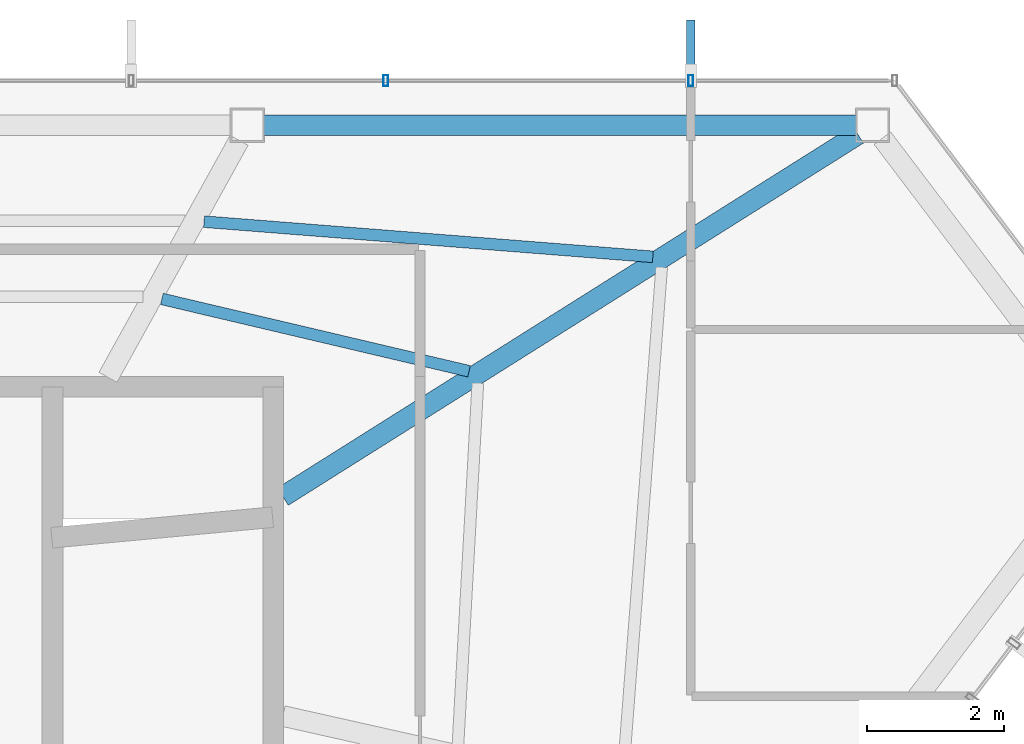
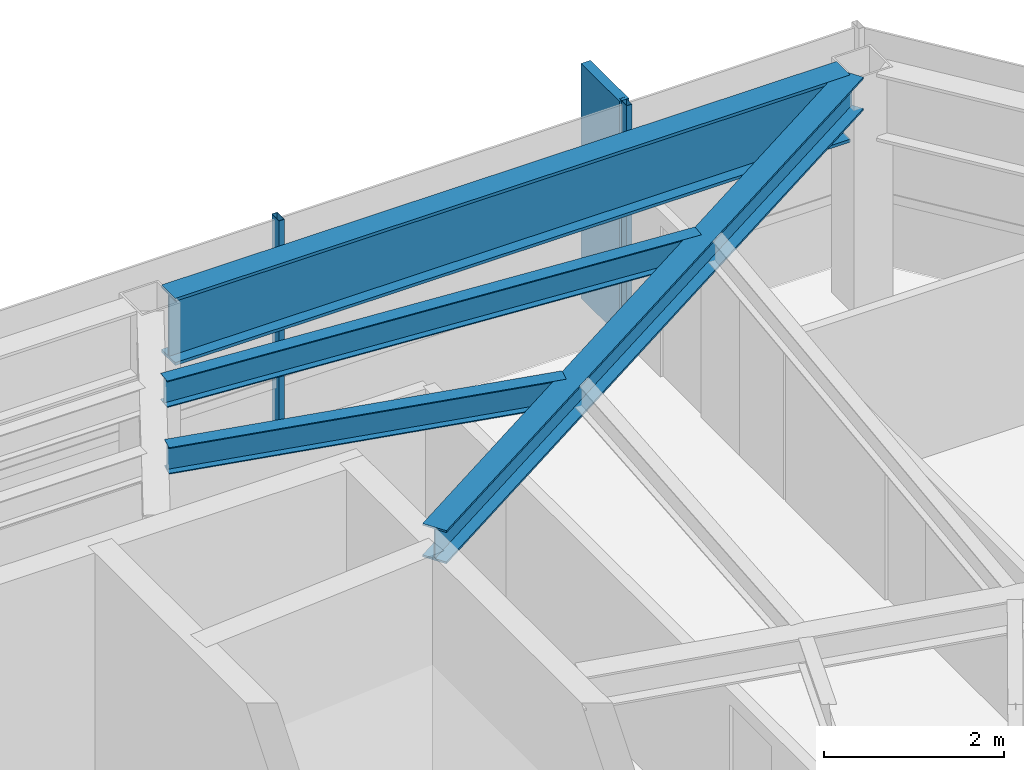
# One storey, part 18 of 25: 4 beams, 3 members, 1 element without a shape of its own.
"""IFC4 building model written with IfcOpenShell, lengths in metres."""

from ifc_helpers import new_model, si_unit, direction, frame, origin, origin_2d, place, context, subcontext, project, spatial, rectangle, hollow_rectangle, i_section, extrude, material, layer, layer_set, material_profile, profile_set, type_object, element, aggregate, save


model = new_model("IFC4")

# Units and contexts
model_context = context("Model", 3, precision=1e-05, world=origin(), true_north=direction((0.0, 1.0)))
body_context = subcontext(model_context, "Body", "Model", "MODEL_VIEW")
ifc_project = project(units=[si_unit("LENGTHUNIT", "METRE"), si_unit("AREAUNIT", "SQUARE_METRE"), si_unit("VOLUMEUNIT", "CUBIC_METRE"), si_unit("PLANEANGLEUNIT", "RADIAN"), si_unit("MASSUNIT", "GRAM", prefix="KILO")], contexts=[model_context])

# Site, building, storey
site_placement = place(None, origin())
site = spatial("IfcSite", under=ifc_project, at=site_placement, CompositionType="ELEMENT")
building_placement = place(site_placement, origin())
building = spatial("IfcBuilding", under=site, at=building_placement, Name="Zarrinselat Tower", CompositionType="ELEMENT")
storey_placement = place(building_placement, frame((0.0, 0.0, 261.800048828125)))
storey = spatial("IfcBuildingStorey", under=building, at=storey_placement, Name="L66", CompositionType="ELEMENT", Elevation=261.800048828125)

# Beams
ifc_material_1 = material(Name="Steel S355J2", Category="steel")
ifc_material_profile_1 = material_profile(ifc_material_1, i_section(OverallWidth=0.300048828125, OverallDepth=0.449951171875, WebThickness=0.013916015625, FlangeThickness=0.02587890625, at=origin_2d()), Name="HEB 450")
ifc_profile_set_1 = profile_set([ifc_material_profile_1], Name="Steel S355J2")
beam_type_1 = type_object("IfcBeamType", Name="BM-HEB450", PredefinedType="BEAM", material=ifc_profile_set_1)
beam_1_placement = place(storey_placement, frame((48.35009765625, 41.800048828125, 2.954833984375), z_axis=(0.846186362049, 0.532887080611, 0.0), x_axis=(-0.532887080611, 0.846186362049, 0.0)))
element("IfcBeam", 1, at=beam_1_placement, inside=storey, type_object=beam_type_1, Name="L66 Radial Primary Girder RG01", PredefinedType="BEAM", context=body_context, shape_type="SweptSolid", body=[
    extrude(i_section(OverallWidth=0.300048828125, OverallDepth=0.449951171875, WebThickness=0.013916015625, FlangeThickness=0.02587890625, at=origin_2d()), origin(), (0.0, 0.0, 1.0), 9.912841796875),
])
ifc_material_2 = material(Name="Steel S460M", Category="steel")
ifc_material_profile_2 = material_profile(ifc_material_2, i_section(OverallWidth=0.302001953125, OverallDepth=0.909912109375, WebThickness=0.02099609375, FlangeThickness=0.0400390625, at=origin_2d()), Name="HEM 900")
ifc_profile_set_2 = profile_set([ifc_material_profile_2], Name="Steel S460M")
beam_type_2 = type_object("IfcBeamType", Name="BM-HEM900", PredefinedType="BEAM", material=ifc_profile_set_2)
beam_2_placement = place(storey_placement, frame((48.07080078125, 47.216796875, 2.724853515625), z_axis=(1.0, 0.0, 0.0), x_axis=(0.0, 1.0, 0.0)))
element("IfcBeam", 2, at=beam_2_placement, inside=storey, type_object=beam_type_2, Name="L66 Perimeter Spandrel Girder SP01", PredefinedType="BEAM", context=body_context, shape_type="SweptSolid", body=[
    extrude(i_section(OverallWidth=0.302001953125, OverallDepth=0.909912109375, WebThickness=0.02099609375, FlangeThickness=0.0400390625, at=origin_2d()), origin(), (0.0, 0.0, 1.0), 8.642822265625),
])
ifc_material_3 = material(Name="Steel S355J2", Category="steel")
ifc_material_profile_3 = material_profile(ifc_material_3, i_section(OverallWidth=0.169921875, OverallDepth=0.360107421875, WebThickness=0.008056640625, FlangeThickness=0.0126953125, at=origin_2d()), Name="IPE 360")
ifc_profile_set_3 = profile_set([ifc_material_profile_3], Name="Steel S355J2")
beam_type_3 = type_object("IfcBeamType", Name="BM-IPE360", PredefinedType="JOIST", material=ifc_profile_set_3)
beam_3_placement = place(storey_placement, frame((47.20068359375, 45.810302734375, 3.0), z_axis=(0.99694411501, -0.078118061598, 0.0), x_axis=(0.078118061598, 0.99694411501, 0.0)))
element("IfcBeam", 3, at=beam_3_placement, inside=storey, type_object=beam_type_3, Name="L66 Composite Floor Joist 6-1", PredefinedType="JOIST", context=body_context, shape_type="SweptSolid", body=[
    extrude(i_section(OverallWidth=0.169921875, OverallDepth=0.360107421875, WebThickness=0.008056640625, FlangeThickness=0.0126953125, at=origin_2d()), origin(), (0.0, 0.0, 1.0), 6.566162109375),
])
beam_4_placement = place(storey_placement, frame((46.5859375, 44.68310546875, 3.0), z_axis=(0.973377500362, -0.22920785717, 0.0), x_axis=(0.22920785717, 0.973377500362, 0.0)))
element("IfcBeam", 4, at=beam_4_placement, inside=storey, type_object=beam_type_3, Name="L66 Composite Floor Joist 6-2", PredefinedType="JOIST", context=body_context, shape_type="SweptSolid", body=[
    extrude(i_section(OverallWidth=0.169921875, OverallDepth=0.360107421875, WebThickness=0.008056640625, FlangeThickness=0.0126953125, at=origin_2d()), origin(), (0.0, 0.0, 1.0), 4.6025390625),
])

# Curtain wall, members
ifc_material_4 = material(Name="Extruded Aluminium Alloy EN AW-6063 T6", Category="aluminium")
ifc_layer = layer(ifc_material_4, 0.169921875)
ifc_layer_set = layer_set([ifc_layer], Name="Extruded Aluminium Alloy EN AW-6063 T6")
curtain_wall_type = type_object("IfcCurtainWallType", Name="CWS-RES", PredefinedType="NOTDEFINED", material=ifc_layer_set)
curtain_wall_placement = place(storey_placement, origin())
curtain_wall = element("IfcCurtainWall", 5, at=curtain_wall_placement, inside=storey, type_object=curtain_wall_type, Name="L66 Unitised Curtain Wall CW-L66-E01", PredefinedType="NOTDEFINED")
ifc_material_5 = material(Name="Extruded Aluminium Alloy EN AW-6063 T6", Category="aluminium")
ifc_material_profile_4 = material_profile(ifc_material_5, hollow_rectangle(XDim=0.070068359375, YDim=0.159912109375, WallThickness=0.00390625, at=origin_2d()), Name="RHS 160x70x4")
ifc_profile_set_4 = profile_set([ifc_material_profile_4], Name="Extruded Aluminium Alloy EN AW-6063 T6")
member_type_1 = type_object("IfcMemberType", Name="MEM-CW-MUL2", PredefinedType="MULLION", material=ifc_profile_set_4)
member_1_placement = place(storey_placement, frame((54.301025390625, 47.86669921875, 0.0), z_axis=(0.0, 0.0, 1.0), x_axis=(-1.0, 0.0, 0.0)))
member_1 = element("IfcMember", 6, at=member_1_placement, type_object=member_type_1, Name="CW-L66-E01 Mullion 1", PredefinedType="MULLION", context=body_context, shape_type="SweptSolid", body=[
    extrude(hollow_rectangle(XDim=0.070068359375, YDim=0.159912109375, WallThickness=0.00390625, at=origin_2d()), origin(), (0.0, 0.0, 1.0), 3.179931640625),
])
member_2_placement = place(storey_placement, frame((49.850341796875, 47.86669921875, 0.0), z_axis=(0.0, 0.0, 1.0), x_axis=(-1.0, 0.0, 0.0)))
member_2 = element("IfcMember", 7, at=member_2_placement, type_object=member_type_1, Name="CW-L66-E01 Mullion 2", PredefinedType="MULLION", context=body_context, shape_type="SweptSolid", body=[
    extrude(hollow_rectangle(XDim=0.070068359375, YDim=0.159912109375, WallThickness=0.00390625, at=origin_2d()), origin(), (0.0, 0.0, 1.0), 3.179931640625),
])
ifc_material_6 = material(Name="Honed Cream Travertine Stone", Category="masonry")
ifc_material_profile_5 = material_profile(ifc_material_6, rectangle(XDim=0.1201171875, YDim=0.85009765625, at=origin_2d()), Name="FIN 850x120")
ifc_profile_set_5 = profile_set([ifc_material_profile_5], Name="Honed Cream Travertine Stone")
member_type_2 = type_object("IfcMemberType", Name="MEM-STONE-FIN", PredefinedType="USERDEFINED", material=ifc_profile_set_5)
member_3_placement = place(storey_placement, frame((54.301025390625, 48.32666015625, 0.0), z_axis=(0.0, 0.0, 1.0), x_axis=(1.0, 0.0, 0.0)))
member_3 = element("IfcMember", 8, at=member_3_placement, type_object=member_type_2, Name="L66 Stone Shading Fin CW-L66-E01-01", ObjectType="FIN", PredefinedType="USERDEFINED", context=body_context, shape_type="SweptSolid", body=[
    extrude(rectangle(XDim=0.1201171875, YDim=0.85009765625, at=origin_2d()), origin(), (0.0, 0.0, 1.0), 3.179931640625),
])
aggregate(curtain_wall, [member_1, member_3, member_2])

save(model, "model.ifc")
